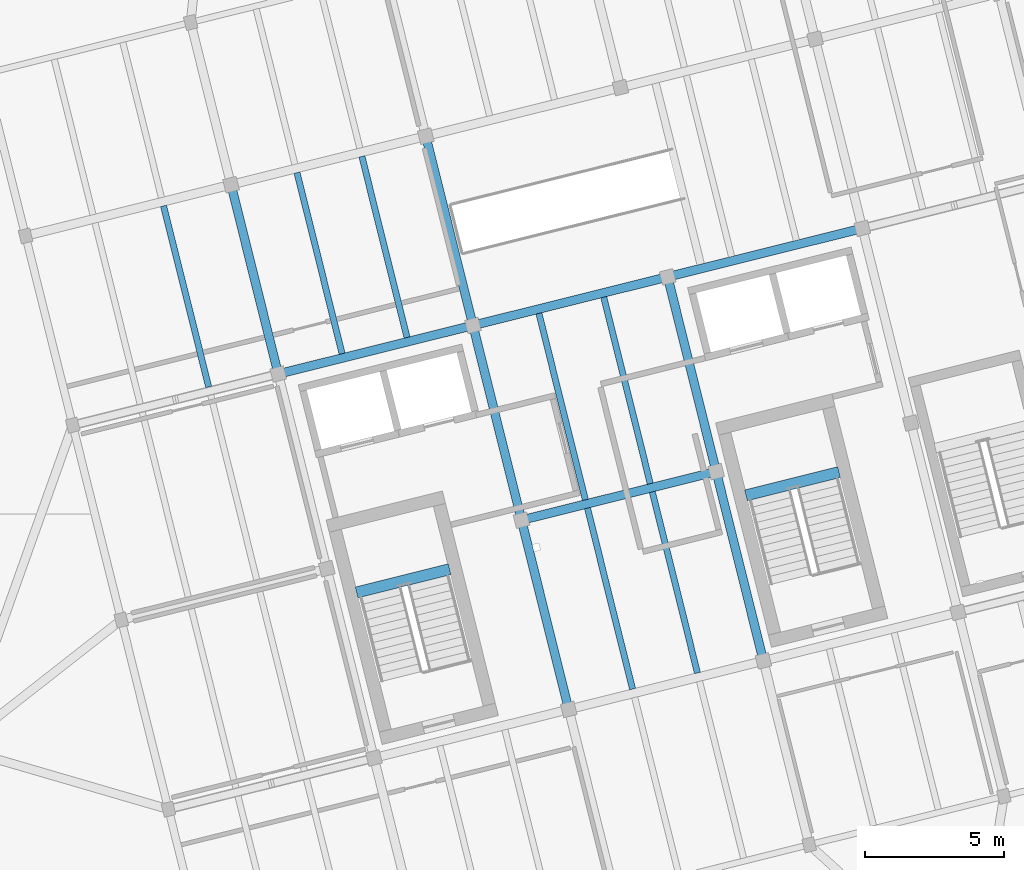
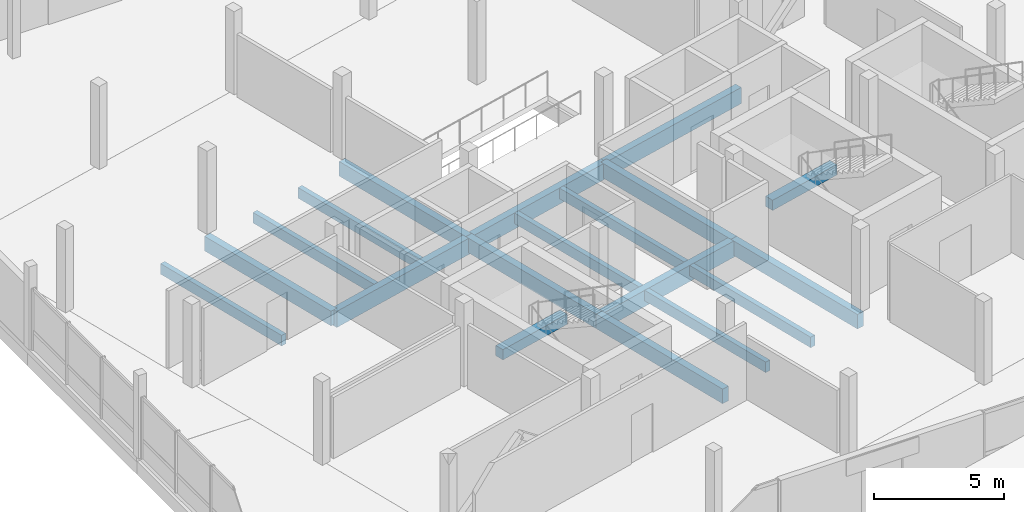
# One storey, part 16 of 39: 19 beams.
"""IFC4 building model written with IfcOpenShell, lengths in metres."""

import ifcopenshell
import ifcopenshell.guid

model = None  # the IFC model being written
_history = None  # IfcOwnerHistory: only IFC2X3 demands one
_inside = {}  # id of a spatial element -> (the spatial element, [elements in it])
_under = {}  # id of a project, library or spatial element -> (it, [spatial elements below it])
_declared = {}  # id of a project -> (the project, [libraries it declares])
_typed = {}  # id of a type object -> (the type object, [elements of that type])
_made_of = {}  # id of a material, layer set ... -> (it, [elements and type objects made of it])


def new_model(schema):
    """Start an empty IFC model of exactly this schema.

    Asked for "IFC4X3", IfcOpenShell would pick the latest addendum, in which some entities
    have other attributes; the version numbers below select the first issue.
    IFC2X3 requires an IfcOwnerHistory on every rooted entity: one is made here for all.
    """
    global model, _history
    if schema == "IFC4X3":
        model = ifcopenshell.file(schema_version=(4, 3, 0, 0))
    else:
        model = ifcopenshell.file(schema=schema)
    _inside.clear()
    _under.clear()
    _declared.clear()
    _typed.clear()
    _made_of.clear()
    _history = None
    if model.schema == "IFC2X3":
        org = make("IfcOrganization", Name="unknown")
        user = make(
            "IfcPersonAndOrganization",
            ThePerson=make("IfcPerson", FamilyName="unknown"),
            TheOrganization=org,
        )
        app = make(
            "IfcApplication",
            ApplicationDeveloper=org,
            Version="unknown",
            ApplicationFullName="unknown",
            ApplicationIdentifier="unknown",
        )
        _history = make(
            "IfcOwnerHistory",
            OwningUser=user,
            OwningApplication=app,
            ChangeAction="ADDED",
            CreationDate=0,
        )
    return model


def make(cls, **values):
    """One entity of the class cls with the attributes given. An attribute that is None is left unset."""
    return model.create_entity(
        cls, **{name: value for name, value in values.items() if value is not None}
    )


def rooted(cls, **values):
    """An entity with a GlobalId (a new one), such as an element, a storey or a relation."""
    return make(cls, GlobalId=ifcopenshell.guid.new(), OwnerHistory=_history, **values)


def si_unit(unit_type, name, prefix=None):
    """IfcSIUnit, for example si_unit("LENGTHUNIT", "METRE", prefix="MILLI")."""
    return make("IfcSIUnit", UnitType=unit_type, Prefix=prefix, Name=name)


def assignment(units):
    """IfcUnitAssignment: the units of a project."""
    return None if units is None else make("IfcUnitAssignment", Units=units)


def point(xyz):
    """IfcCartesianPoint."""
    return None if xyz is None else make("IfcCartesianPoint", Coordinates=xyz)


def direction(xyz):
    """IfcDirection."""
    return None if xyz is None else make("IfcDirection", DirectionRatios=xyz)


def frame(location, z_axis=None, x_axis=None):
    """IfcAxis2Placement3D, a coordinate frame: its origin and axes. An axis left out is left unset."""
    return make(
        "IfcAxis2Placement3D",
        Location=point(location),
        Axis=direction(z_axis),
        RefDirection=direction(x_axis),
    )


def frame_2d(location, x_axis=None):
    """IfcAxis2Placement2D, a coordinate frame in the plane: its origin and x axis."""
    return make(
        "IfcAxis2Placement2D", Location=point(location), RefDirection=direction(x_axis)
    )


def origin():
    """The frame at (0, 0, 0) with its axes left unset."""
    return frame((0.0, 0.0, 0.0))


def origin_2d():
    """The frame at (0, 0) in the plane with its x axis left unset."""
    return frame_2d((0.0, 0.0))


def place(relative_to, where):
    """IfcLocalPlacement: puts the frame where relative to a parent placement (None: the world)."""
    return make(
        "IfcLocalPlacement", PlacementRelTo=relative_to, RelativePlacement=where
    )


def context(
    kind, dimensions, precision=None, world=None, true_north=None, identifier=None
):
    """IfcGeometricRepresentationContext, for example the 3D "Model" context."""
    return make(
        "IfcGeometricRepresentationContext",
        ContextIdentifier=identifier,
        ContextType=kind,
        CoordinateSpaceDimension=dimensions,
        Precision=precision,
        WorldCoordinateSystem=world,
        TrueNorth=true_north,
    )


def subcontext(parent, identifier, kind, view, scale=None):
    """IfcGeometricRepresentationSubContext, for example "Body" below "Model"."""
    return make(
        "IfcGeometricRepresentationSubContext",
        ContextIdentifier=identifier,
        ContextType=kind,
        ParentContext=parent,
        TargetScale=scale,
        TargetView=view,
    )


def project(units=None, contexts=None):
    """IfcProject with its units and contexts."""
    return rooted(
        "IfcProject",
        Name="project",
        RepresentationContexts=contexts,
        UnitsInContext=assignment(units),
    )


def spatial(cls, under=None, at=None, **own):
    """A site, building, storey or space (cls), placed at a placement, below another one or the project."""
    s = rooted(cls, ObjectPlacement=at, **own)
    if under is not None:
        _under.setdefault(under.id(), (under, []))[1].append(s)
    return s


def profile(cls, at=None, kind="AREA", **sizes):
    """A parametric profile (cls). Its sizes go by their IFC names, for example OverallWidth=200.0."""
    return make(cls, ProfileType=kind, Position=at, **sizes)


def rectangle(**sizes):
    """IfcRectangleProfileDef."""
    return profile("IfcRectangleProfileDef", **sizes)


def extrude(swept, where, along, depth):
    """IfcExtrudedAreaSolid: the profile swept, set in the frame where, extruded along a direction by depth."""
    return make(
        "IfcExtrudedAreaSolid",
        SweptArea=swept,
        Position=where,
        ExtrudedDirection=direction(along),
        Depth=depth,
    )


def shape(context_of_items, identifier, shape_type, items):
    """IfcShapeRepresentation: the items that make up one representation, for example the "Body"."""
    return make(
        "IfcShapeRepresentation",
        ContextOfItems=context_of_items,
        RepresentationIdentifier=identifier,
        RepresentationType=shape_type,
        Items=items,
    )


def material(Name=None, Category=None):
    """IfcMaterial."""
    return make("IfcMaterial", Name=Name, Category=Category)


def material_profile(
    of_material, cross_section, Name=None, Category=None, Priority=None
):
    """IfcMaterialProfile: a cross section and its material."""
    return make(
        "IfcMaterialProfile",
        Name=Name,
        Material=of_material,
        Profile=cross_section,
        Priority=Priority,
        Category=Category,
    )


def profile_set(profiles, Name=None, composite=None):
    """IfcMaterialProfileSet."""
    return make(
        "IfcMaterialProfileSet",
        Name=Name,
        MaterialProfiles=profiles,
        CompositeProfile=composite,
    )


def made_of(thing, what):
    """Note that an element or type object is made of a material, layer set ...; save() writes the relation."""
    if what is not None:
        _made_of.setdefault(what.id(), (what, []))[1].append(thing)
    return thing


def type_object(cls, material=None, **own):
    """A type object (cls), such as IfcWallType, which elements share."""
    return made_of(rooted(cls, **own), material)


def element(
    cls,
    number,
    at=None,
    inside=None,
    cuts=None,
    type_object=None,
    material=None,
    context=None,
    identifier="Body",
    shape_type=None,
    held_by="IfcProductDefinitionShape",
    body=None,
    shapes=None,
    **own,
):
    """One element of the class cls, such as IfcWall. Its Tag is "e" and its number.

    at: its placement. inside: the storey or other place that contains it. cuts: it is an
    opening in that element (IfcRelVoidsElement). A single representation is given by context,
    identifier, shape_type and body (its items); several are given by shapes. held_by: the class
    of the entity that holds the representations. save() writes the other relations.
    """
    e = rooted(cls, Tag="e%d" % number, ObjectPlacement=at, **own)
    if body is not None:
        shapes = [shape(context, identifier, shape_type, body)]
    if shapes is not None:
        e.Representation = make(held_by, Representations=shapes)
    if inside is not None:
        _inside.setdefault(inside.id(), (inside, []))[1].append(e)
    if cuts is not None:
        rooted(
            "IfcRelVoidsElement", RelatingBuildingElement=cuts, RelatedOpeningElement=e
        )
    if type_object is not None:
        _typed.setdefault(type_object.id(), (type_object, []))[1].append(e)
    return made_of(e, material)


def aggregate(whole, parts):
    """IfcRelAggregates: a whole, such as a stair, and the parts it consists of."""
    return rooted("IfcRelAggregates", RelatingObject=whole, RelatedObjects=parts)


def save(model, path):
    """Write the relations noted so far, then the file.

    IfcRelAggregates (storeys below a building ...), IfcRelContainedInSpatialStructure (elements
    in a storey), IfcRelDefinesByType, IfcRelAssociatesMaterial and IfcRelDeclares: one each for
    every whole, place, type object, material and project.
    """
    for whole, parts in _under.values():
        aggregate(whole, parts)
    for where, things in _inside.values():
        rooted(
            "IfcRelContainedInSpatialStructure",
            RelatedElements=things,
            RelatingStructure=where,
        )
    for kind, things in _typed.values():
        rooted("IfcRelDefinesByType", RelatedObjects=things, RelatingType=kind)
    for what, things in _made_of.values():
        rooted("IfcRelAssociatesMaterial", RelatedObjects=things, RelatingMaterial=what)
    for by, libraries in _declared.values():
        rooted("IfcRelDeclares", RelatingContext=by, RelatedDefinitions=libraries)
    model.write(path)


model = new_model("IFC4")

# Units and contexts
model_context = context("Model", 3, precision=1e-05, world=origin(), true_north=direction((0.0, 1.0)))
body_context = subcontext(model_context, "Body", "Model", "MODEL_VIEW")
ifc_project = project(units=[si_unit("LENGTHUNIT", "METRE"), si_unit("AREAUNIT", "SQUARE_METRE"), si_unit("VOLUMEUNIT", "CUBIC_METRE"), si_unit("PLANEANGLEUNIT", "RADIAN"), si_unit("MASSUNIT", "GRAM", prefix="KILO")], contexts=[model_context])

# Site, building, storey
site_placement = place(None, origin())
site = spatial("IfcSite", under=ifc_project, at=site_placement, CompositionType="ELEMENT")
building_placement = place(site_placement, origin())
building = spatial("IfcBuilding", under=site, at=building_placement, Name="Meriwether Solvik Hall", CompositionType="ELEMENT")
storey_placement = place(building_placement, frame((0.0, 0.0, 22.199951171875)))
storey = spatial("IfcBuildingStorey", under=building, at=storey_placement, Name="L05", CompositionType="ELEMENT", Elevation=22.199951171875)

# Beams
ifc_material_1 = material(Name="Glulam Douglas-Fir 24F-V8 GL28h", Category="wood")
ifc_material_profile_1 = material_profile(ifc_material_1, rectangle(XDim=0.31494140625, YDim=0.68505859375, at=origin_2d()), Name="GLB-315X685")
ifc_profile_set_1 = profile_set([ifc_material_profile_1], Name="Glulam Douglas-Fir 24F-V8 GL28h")
beam_type_1 = type_object("IfcBeamType", Name="BM-GL-315X685", PredefinedType="BEAM", material=ifc_profile_set_1)
for number, where, z_axis, x_axis, name in (
    (1, (70.893798828125, 63.414794921875, -0.58740234375), (-0.241911879182, 0.970298223594, 0.0), (-0.970298223594, -0.241911879182, 0.0), "Tower Girder T2:TD-TE (L05)"),
    (2, (81.3154296875, 51.37841796875, -0.58740234375), (-0.241944715397, 0.970290036376, 0.0), (-0.970290036376, -0.241944715397, 0.0), "Tower Girder T3:TB-TC (L05)"),
):
    element("IfcBeam", number, at=place(storey_placement, frame(where, z_axis=z_axis, x_axis=x_axis)), inside=storey, type_object=beam_type_1, Name=name, PredefinedType="BEAM", context=body_context, shape_type="SweptSolid", body=[
        extrude(rectangle(XDim=0.31494140625, YDim=0.68505859375, at=origin_2d()), origin(), (0.0, 0.0, 1.0), 7.0),
    ])
beam_1_placement = place(storey_placement, frame((79.621826171875, 58.17041015625, -0.58740234375), z_axis=(-0.241897310542, 0.970301855688, 0.0), x_axis=(-0.970301855688, -0.241897310542, 0.0)))
element("IfcBeam", 3, at=beam_1_placement, inside=storey, type_object=beam_type_1, Name="Tower Girder T3:TC-TD (L05)", PredefinedType="BEAM", context=body_context, shape_type="SweptSolid", body=[
    extrude(rectangle(XDim=0.31494140625, YDim=0.68505859375, at=origin_2d()), origin(), (0.0, 0.0, 1.0), 7.2001953125),
])
for number, where, z_axis, x_axis, name in (
    (4, (77.880126953125, 65.15673828125, -0.58740234375), (-0.241944715397, 0.970290036376, 0.0), (-0.970290036376, -0.241944715397, 0.0), "Tower Girder T3:TD-TE (L05)"),
    (5, (88.301513671875, 53.120361328125, -0.58740234375), (-0.241944715397, 0.970290036376, 0.0), (-0.970290036376, -0.241944715397, 0.0), "Tower Girder T4:TB-TC (L05)"),
):
    element("IfcBeam", number, at=place(storey_placement, frame(where, z_axis=z_axis, x_axis=x_axis)), inside=storey, type_object=beam_type_1, Name=name, PredefinedType="BEAM", context=body_context, shape_type="SweptSolid", body=[
        extrude(rectangle(XDim=0.31494140625, YDim=0.68505859375, at=origin_2d()), origin(), (0.0, 0.0, 1.0), 7.0),
    ])
beam_2_placement = place(storey_placement, frame((86.60791015625, 59.912353515625, -0.58740234375), z_axis=(-0.241905269381, 0.970299871507, 0.0), x_axis=(-0.970299871507, -0.241905269381, 0.0)))
element("IfcBeam", 6, at=beam_2_placement, inside=storey, type_object=beam_type_1, Name="Tower Girder T4:TC-TD (L05)", PredefinedType="BEAM", context=body_context, shape_type="SweptSolid", body=[
    extrude(rectangle(XDim=0.31494140625, YDim=0.68505859375, at=origin_2d()), origin(), (0.0, 0.0, 1.0), 7.199951171875),
])
ifc_material_2 = material(Name="Glulam Douglas-Fir 24F-V8 GL28h", Category="wood")
ifc_material_profile_2 = material_profile(ifc_material_2, rectangle(XDim=0.31494140625, YDim=0.760009765625, at=origin_2d()), Name="GLB-315X760")
ifc_profile_set_2 = profile_set([ifc_material_profile_2], Name="Glulam Douglas-Fir 24F-V8 GL28h")
beam_type_2 = type_object("IfcBeamType", Name="BM-GL-315X760", PredefinedType="BEAM", material=ifc_profile_set_2)
beam_3_placement = place(storey_placement, frame((79.621826171875, 58.17041015625, -0.625), z_axis=(0.970291911955, 0.241937193493, 0.0), x_axis=(-0.241937193493, 0.970291911955, 0.0)))
element("IfcBeam", 7, at=beam_3_placement, inside=storey, type_object=beam_type_2, Name="Tower Girder TC:T3-T4 (L05)", PredefinedType="BEAM", context=body_context, shape_type="SweptSolid", body=[
    extrude(rectangle(XDim=0.31494140625, YDim=0.760009765625, at=origin_2d()), origin(), (0.0, 0.0, 1.0), 7.199951171875),
])
beam_4_placement = place(storey_placement, frame((70.893798828125, 63.414794921875, -0.625), z_axis=(0.970293896644, 0.241929233735, 0.0), x_axis=(-0.241929233735, 0.970293896644, 0.0)))
element("IfcBeam", 8, at=beam_4_placement, inside=storey, type_object=beam_type_2, Name="Tower Girder TD:T2-T3 (L05)", PredefinedType="BEAM", context=body_context, shape_type="SweptSolid", body=[
    extrude(rectangle(XDim=0.31494140625, YDim=0.760009765625, at=origin_2d()), origin(), (0.0, 0.0, 1.0), 7.2001953125),
])
for number, where, z_axis, x_axis, name in (
    (9, (77.880126953125, 65.15673828125, -0.625), (0.970299871507, 0.241905269381, 0.0), (-0.241905269381, 0.970299871507, 0.0), "Tower Girder TD:T3-T4 (L05)"),
    (10, (84.8662109375, 66.8984375, -0.625), (0.970291911955, 0.241937193493, 0.0), (-0.241937193493, 0.970291911955, 0.0), "Tower Girder TD:T4-T5 (L05)"),
):
    element("IfcBeam", number, at=place(storey_placement, frame(where, z_axis=z_axis, x_axis=x_axis)), inside=storey, type_object=beam_type_2, Name=name, PredefinedType="BEAM", context=body_context, shape_type="SweptSolid", body=[
        extrude(rectangle(XDim=0.31494140625, YDim=0.760009765625, at=origin_2d()), origin(), (0.0, 0.0, 1.0), 7.199951171875),
    ])
ifc_material_3 = material(Name="Concrete C40/50", Category="concrete")
ifc_material_profile_3 = material_profile(ifc_material_3, rectangle(XDim=0.39990234375, YDim=0.47998046875, at=origin_2d()), Name="RCB-400X480")
ifc_profile_set_3 = profile_set([ifc_material_profile_3], Name="Concrete C40/50")
beam_type_3 = type_object("IfcBeamType", Name="BM-LND-RC-400X480", PredefinedType="BEAM", material=ifc_profile_set_3)
beam_5_placement = place(storey_placement, frame((73.70361328125, 55.57666015625, 1.510009765625), z_axis=(0.970288447449, 0.24195108751, 0.0), x_axis=(-0.24195108751, 0.970288447449, 0.0)))
element("IfcBeam", 11, at=beam_5_placement, inside=storey, type_object=beam_type_3, Name="Stair ST-01 Half-Landing Header Beam (L05)", PredefinedType="BEAM", context=body_context, shape_type="SweptSolid", body=[
    extrude(rectangle(XDim=0.39990234375, YDim=0.47998046875, at=origin_2d()), origin(), (0.0, 0.0, 1.0), 3.43994140625),
])
beam_6_placement = place(storey_placement, frame((87.67578125, 59.060302734375, 1.510009765625), z_axis=(0.970292601873, 0.24193442655, 0.0), x_axis=(-0.24193442655, 0.970292601873, 0.0)))
element("IfcBeam", 12, at=beam_6_placement, inside=storey, type_object=beam_type_3, Name="Stair ST-02 Half-Landing Header Beam (L05)", PredefinedType="BEAM", context=body_context, shape_type="SweptSolid", body=[
    extrude(rectangle(XDim=0.39990234375, YDim=0.47998046875, at=origin_2d()), origin(), (0.0, 0.0, 1.0), 3.440185546875),
])
ifc_material_4 = material(Name="Glulam Douglas-Fir 24F-V8 GL28h", Category="wood")
ifc_material_profile_4 = material_profile(ifc_material_4, rectangle(XDim=0.221923828125, YDim=0.4951171875, at=origin_2d()), Name="GLJ-222X495")
ifc_profile_set_4 = profile_set([ifc_material_profile_4], Name="Glulam Douglas-Fir 24F-V8 GL28h")
beam_type_4 = type_object("IfcBeamType", Name="JST-GL-222X495", PredefinedType="JOIST", material=ifc_profile_set_4)
beam_7_placement = place(storey_placement, frame((68.39892578125, 62.949951171875, -0.492431640625), z_axis=(-0.241917792922, 0.970296749179, 0.0), x_axis=(-0.970296749179, -0.241917792922, 0.0)))
element("IfcBeam", 13, at=beam_7_placement, inside=storey, type_object=beam_type_4, Name="Glulam Floor Joist T1/TD-J2 (L05)", PredefinedType="JOIST", context=body_context, shape_type="SweptSolid", body=[
    extrude(rectangle(XDim=0.221923828125, YDim=0.4951171875, at=origin_2d()), origin(), (0.0, 0.0, 1.0), 6.695068359375),
])
beam_8_placement = place(storey_placement, frame((73.185791015625, 64.143310546875, -0.492431640625), z_axis=(-0.241943564064, 0.970290323464, 0.0), x_axis=(-0.970290323464, -0.241943564064, 0.0)))
element("IfcBeam", 14, at=beam_8_placement, inside=storey, type_object=beam_type_4, Name="Glulam Floor Joist T2/TD-J1 (L05)", PredefinedType="JOIST", context=body_context, shape_type="SweptSolid", body=[
    extrude(rectangle(XDim=0.221923828125, YDim=0.4951171875, at=origin_2d()), origin(), (0.0, 0.0, 1.0), 6.6953125),
])
beam_9_placement = place(storey_placement, frame((75.514404296875, 64.72412109375, -0.492431640625), z_axis=(-0.241917792922, 0.970296749179, 0.0), x_axis=(-0.970296749179, -0.241917792922, 0.0)))
element("IfcBeam", 15, at=beam_9_placement, inside=storey, type_object=beam_type_4, Name="Glulam Floor Joist T2/TD-J2 (L05)", PredefinedType="JOIST", context=body_context, shape_type="SweptSolid", body=[
    extrude(rectangle(XDim=0.221923828125, YDim=0.4951171875, at=origin_2d()), origin(), (0.0, 0.0, 1.0), 6.695068359375),
])
beam_10_placement = place(storey_placement, frame((83.607177734375, 52.10693359375, -0.492431640625), z_axis=(-0.241909233393, 0.970298883231, 0.0), x_axis=(-0.970298883231, -0.241909233393, 0.0)))
element("IfcBeam", 16, at=beam_10_placement, inside=storey, type_object=beam_type_4, Name="Glulam Floor Joist T3/TB-J1 (L05)", PredefinedType="JOIST", context=body_context, shape_type="SweptSolid", body=[
    extrude(rectangle(XDim=0.221923828125, YDim=0.4951171875, at=origin_2d()), origin(), (0.0, 0.0, 1.0), 6.6953125),
])
beam_11_placement = place(storey_placement, frame((85.935791015625, 52.687744140625, -0.492431640625), z_axis=(-0.241917792922, 0.970296749179, 0.0), x_axis=(-0.970296749179, -0.241917792922, 0.0)))
element("IfcBeam", 17, at=beam_11_placement, inside=storey, type_object=beam_type_4, Name="Glulam Floor Joist T3/TB-J2 (L05)", PredefinedType="JOIST", context=body_context, shape_type="SweptSolid", body=[
    extrude(rectangle(XDim=0.221923828125, YDim=0.4951171875, at=origin_2d()), origin(), (0.0, 0.0, 1.0), 6.695068359375),
])
for number, where, z_axis, x_axis, name in (
    (18, (81.91357421875, 58.899169921875, -0.492431640625), (-0.241910719241, 0.970298512787, 0.0), (-0.970298512787, -0.241910719241, 0.0), "Glulam Floor Joist T3/TC-J1 (L05)"),
    (19, (84.242431640625, 59.479736328125, -0.492431640625), (-0.241944055158, 0.970290201009, 0.0), (-0.970290201009, -0.241944055158, 0.0), "Glulam Floor Joist T3/TC-J2 (L05)"),
):
    element("IfcBeam", number, at=place(storey_placement, frame(where, z_axis=z_axis, x_axis=x_axis)), inside=storey, type_object=beam_type_4, Name=name, PredefinedType="JOIST", context=body_context, shape_type="SweptSolid", body=[
        extrude(rectangle(XDim=0.221923828125, YDim=0.4951171875, at=origin_2d()), origin(), (0.0, 0.0, 1.0), 6.89501953125),
    ])

save(model, "model.ifc")
